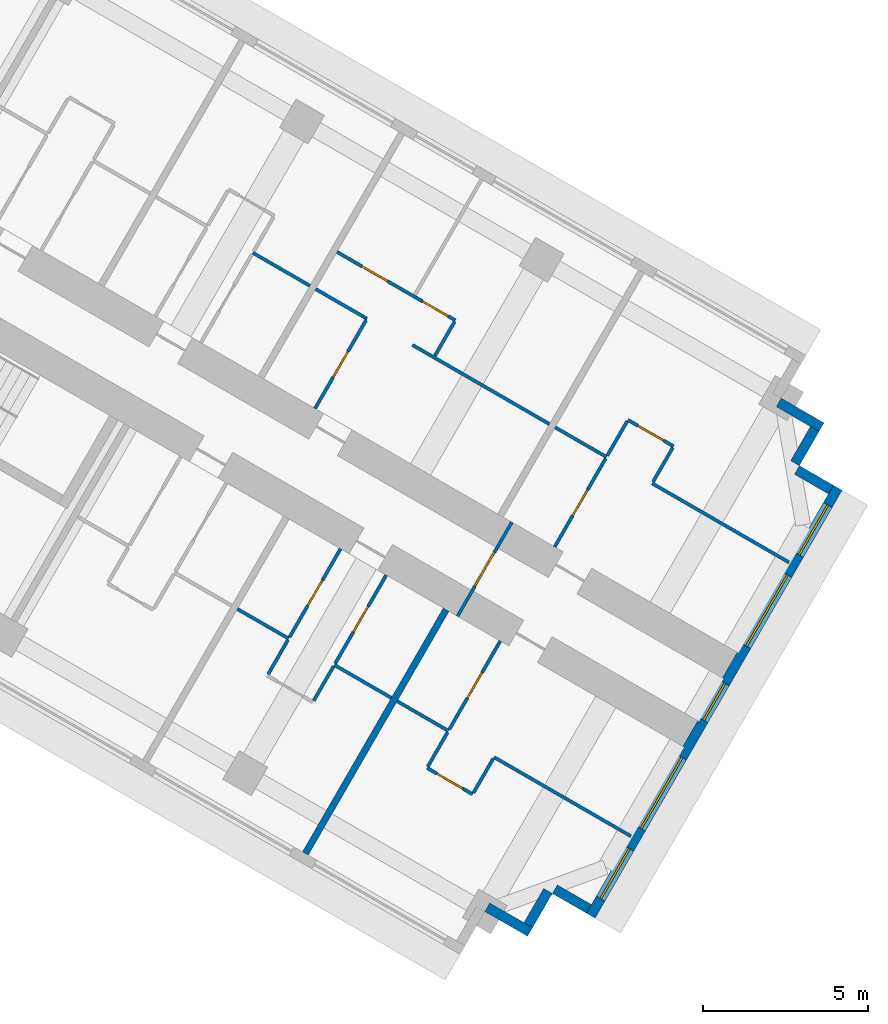
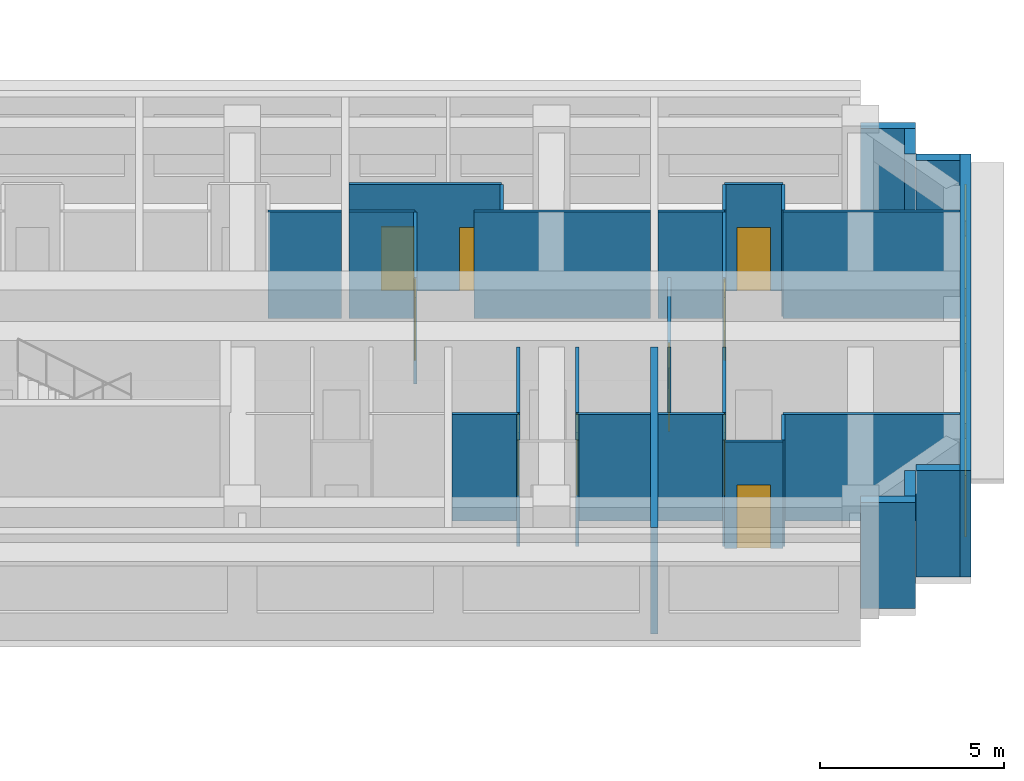
# One storey, part 11 of 15: 33 walls, 10 doors, 5 windows, 15 openings.
"""IFC4 building model written with IfcOpenShell, lengths in metres."""

from ifc_helpers import new_model, si_unit, direction, frame, frame_2d, origin, place, context, subcontext, project, spatial, rectangle, extrude, material, layer, layer_set, type_object, element, fill, save


model = new_model("IFC4")

# Units and contexts
model_context = context("Model", 3, precision=1e-05, world=origin(), true_north=direction((0.0, 1.0)))
body_context = subcontext(model_context, "Body", "Model", "MODEL_VIEW")
ifc_project = project(units=[si_unit("LENGTHUNIT", "METRE"), si_unit("AREAUNIT", "SQUARE_METRE"), si_unit("VOLUMEUNIT", "CUBIC_METRE"), si_unit("PLANEANGLEUNIT", "RADIAN"), si_unit("MASSUNIT", "GRAM", prefix="KILO")], contexts=[model_context])

# Site, building, storey
site_placement = place(None, origin())
site = spatial("IfcSite", under=ifc_project, at=site_placement, CompositionType="ELEMENT")
building_placement = place(site_placement, origin())
building = spatial("IfcBuilding", under=site, at=building_placement, Name="Impinga Residences", CompositionType="ELEMENT")
storey_placement = place(building_placement, frame((0.0, 0.0, 132.25)))
storey = spatial("IfcBuildingStorey", under=building, at=storey_placement, Name="L32", CompositionType="ELEMENT", Elevation=132.25)

# Wall, opening, door
ifc_material_1 = material(Name="Concrete blockwork", Category="masonry")
ifc_layer_1 = layer(ifc_material_1, 0.10009765625)
ifc_layer_set_1 = layer_set([ifc_layer_1], Name="CP1 core room partition, blockwork 100")
wall_type_1 = type_object("IfcWallType", Name="CP1 core room partition, blockwork 100", PredefinedType="PARTITIONING", material=ifc_layer_set_1)
wall_1_placement = place(storey_placement, frame((35.320068359375, -18.48681640625, 0.0), z_axis=(0.0, 0.0, 1.0), x_axis=(-0.499974350878, -0.866040211805, 0.0)))
wall_1 = element("IfcWall", 1, at=wall_1_placement, inside=storey, type_object=wall_type_1, Name="Core room partition, blockwork L32:E:PLB", PredefinedType="PARTITIONING", context=body_context, shape_type="SweptSolid", body=[
    extrude(rectangle(XDim=3.300048828125, YDim=0.10009765625, at=frame_2d((1.64990234375, 0.0))), origin(), (0.0, 0.0, 1.0), 3.530029296875),
])
opening_1_placement = place(wall_1_placement, frame((1.050048828125, 0.0, 0.0)))
opening_1 = element("IfcOpeningElement", 2, at=opening_1_placement, cuts=wall_1, Name="Opening D3", PredefinedType="OPENING", context=body_context, shape_type="SweptSolid", body=[
    extrude(rectangle(XDim=1.199951171875, YDim=2.10009765625, at=frame_2d((0.60009765625, 1.050048828125))), frame((0.0, 0.06005859375, 0.0), z_axis=(0.0, -1.0, 0.0), x_axis=(1.0, 0.0, 0.0)), (0.0, 0.0, 1.0), 0.1201171875),
])
ifc_material_2 = material(Name="Timber door set", Category="wood")
door_type_1 = type_object("IfcDoorType", Name="D3 room door, leaf and a half 1200x2100", OperationType="DOUBLE_SWING_LEFT", PredefinedType="DOOR", material=ifc_material_2)
door_1_placement = place(opening_1_placement, origin())
door_1 = element("IfcDoor", 3, at=door_1_placement, inside=storey, type_object=door_type_1, Name="Private lobby door E", OperationType="DOUBLE_SWING_LEFT", OverallHeight=2.10009765625, OverallWidth=1.199951171875, PredefinedType="DOOR", context=body_context, shape_type="SweptSolid", body=[
    extrude(rectangle(XDim=1.199951171875, YDim=2.10009765625, at=frame_2d((0.60009765625, 1.050048828125))), frame((0.0, 0.02490234375, 0.0), z_axis=(0.0, -1.0, 0.0), x_axis=(1.0, 0.0, 0.0)), (0.0, 0.0, 1.0), 0.050048828125),
])
fill(opening_1, door_1)

# Walls
ifc_material_3 = material(Name="Terracotta rainscreen on blockwork", Category="masonry")
ifc_layer_2 = layer(ifc_material_3, 0.300048828125)
ifc_layer_set_2 = layer_set([ifc_layer_2], Name="EW1 external wall, terracotta rainscreen on blockwork 300")
wall_type_2 = type_object("IfcWallType", Name="EW1 external wall, terracotta rainscreen on blockwork 300", PredefinedType="SOLIDWALL", material=ifc_layer_set_2)
wall_2_placement = place(storey_placement, frame((43.42333984375, -14.8515625, 0.0), z_axis=(0.0, 0.0, 1.0), x_axis=(0.866031096941, -0.499990139034, 0.0)))
element("IfcWall", 4, at=wall_2_placement, inside=storey, type_object=wall_type_2, Name="External wall EW1 L32", PredefinedType="SOLIDWALL", context=body_context, shape_type="SweptSolid", body=[
    extrude(rectangle(XDim=1.5, YDim=0.300048828125, at=frame_2d((0.75, 0.0))), origin(), (0.0, 0.0, 1.0), 3.530029296875),
])
wall_3_placement = place(storey_placement, frame((44.517578125, -15.65625, 0.0), z_axis=(0.0, 0.0, 1.0), x_axis=(-0.500033551112, -0.866006032174, 0.0)))
element("IfcWall", 5, at=wall_3_placement, inside=storey, type_object=wall_type_2, Name="External wall EW1 L32", PredefinedType="SOLIDWALL", context=body_context, shape_type="SweptSolid", body=[
    extrude(rectangle(XDim=1.2001953125, YDim=0.300048828125, at=frame_2d((0.60009765625, 0.0))), origin(), (0.0, 0.0, 1.0), 3.530029296875),
])
wall_4_placement = place(storey_placement, frame((43.976806640625, -16.903076171875, 0.0), z_axis=(0.0, 0.0, 1.0), x_axis=(0.866059708757, -0.499940577336, 0.0)))
element("IfcWall", 6, at=wall_4_placement, inside=storey, type_object=wall_type_2, Name="External wall EW1 L32", PredefinedType="SOLIDWALL", context=body_context, shape_type="SweptSolid", body=[
    extrude(rectangle(XDim=1.195068359375, YDim=0.300048828125, at=frame_2d((0.59765625, 0.0))), origin(), (0.0, 0.0, 1.0), 3.530029296875),
])

# Wall, openings, windows
wall_5_placement = place(storey_placement, frame((45.216552734375, -17.445556640625, 0.0), z_axis=(0.0, 0.0, 1.0), x_axis=(-0.499997186618, -0.866027028085, 0.0)))
wall_5 = element("IfcWall", 7, at=wall_5_placement, inside=storey, type_object=wall_type_2, Name="External wall EW1 L32", PredefinedType="SOLIDWALL", context=body_context, shape_type="SweptSolid", body=[
    extrude(rectangle(XDim=15.0, YDim=0.300048828125, at=frame_2d((7.5, 0.0))), origin(), (0.0, 0.0, 1.0), 3.530029296875),
])
opening_2_placement = place(wall_5_placement, frame((0.60009765625, 0.0, 0.89990234375)))
opening_2 = element("IfcOpeningElement", 8, at=opening_2_placement, cuts=wall_5, Name="Opening W1", PredefinedType="OPENING", context=body_context, shape_type="SweptSolid", body=[
    extrude(rectangle(XDim=1.75, YDim=2.050048828125, at=frame_2d((0.875, 1.02490234375))), frame((0.0, 0.159912109375, 0.0), z_axis=(0.0, -1.0, 0.0), x_axis=(1.0, 0.0, 0.0)), (0.0, 0.0, 1.0), 0.320068359375),
])
opening_3_placement = place(wall_5_placement, frame((3.050048828125, 0.0, 0.89990234375)))
opening_3 = element("IfcOpeningElement", 9, at=opening_3_placement, cuts=wall_5, Name="Opening W2", PredefinedType="OPENING", context=body_context, shape_type="SweptSolid", body=[
    extrude(rectangle(XDim=2.5, YDim=2.050048828125, at=frame_2d((1.25, 1.02490234375))), frame((0.0, 0.159912109375, 0.0), z_axis=(0.0, -1.0, 0.0), x_axis=(1.0, 0.0, 0.0)), (0.0, 0.0, 1.0), 0.320068359375),
])
opening_4_placement = place(wall_5_placement, frame((6.85009765625, 0.0, 0.89990234375)))
opening_4 = element("IfcOpeningElement", 10, at=opening_4_placement, cuts=wall_5, Name="Opening W17", PredefinedType="OPENING", context=body_context, shape_type="SweptSolid", body=[
    extrude(rectangle(XDim=1.300048828125, YDim=2.050048828125, at=frame_2d((0.64990234375, 1.02490234375))), frame((0.0, 0.159912109375, 0.0), z_axis=(0.0, -1.0, 0.0), x_axis=(1.0, 0.0, 0.0)), (0.0, 0.0, 1.0), 0.320068359375),
])
opening_5_placement = place(wall_5_placement, frame((9.449951171875, 0.0, 0.89990234375)))
opening_5 = element("IfcOpeningElement", 11, at=opening_5_placement, cuts=wall_5, Name="Opening W2", PredefinedType="OPENING", context=body_context, shape_type="SweptSolid", body=[
    extrude(rectangle(XDim=2.5, YDim=2.050048828125, at=frame_2d((1.25, 1.02490234375))), frame((0.0, 0.159912109375, 0.0), z_axis=(0.0, -1.0, 0.0), x_axis=(1.0, 0.0, 0.0)), (0.0, 0.0, 1.0), 0.320068359375),
])
opening_6_placement = place(wall_5_placement, frame((12.64990234375, 0.0, 0.89990234375)))
opening_6 = element("IfcOpeningElement", 12, at=opening_6_placement, cuts=wall_5, Name="Opening W1", PredefinedType="OPENING", context=body_context, shape_type="SweptSolid", body=[
    extrude(rectangle(XDim=1.75, YDim=2.050048828125, at=frame_2d((0.875, 1.02490234375))), frame((0.0, 0.159912109375, 0.0), z_axis=(0.0, -1.0, 0.0), x_axis=(1.0, 0.0, 0.0)), (0.0, 0.0, 1.0), 0.320068359375),
])
ifc_material_4 = material(Name="Aluminium window, clear double glazing", Category="aluminium")
window_type_1 = type_object("IfcWindowType", Name="W1 ribbon window 1750x2050", PartitioningType="SINGLE_PANEL", PredefinedType="WINDOW", material=ifc_material_4)
window_1_placement = place(opening_2_placement, origin())
window_1 = element("IfcWindow", 13, at=window_1_placement, inside=storey, type_object=window_type_1, Name="Window L32", OverallHeight=2.050048828125, OverallWidth=1.75, PartitioningType="SINGLE_PANEL", PredefinedType="WINDOW", context=body_context, shape_type="SweptSolid", body=[
    extrude(rectangle(XDim=1.75, YDim=2.050048828125, at=frame_2d((0.875, 1.02490234375))), frame((0.0, 0.030029296875, 0.0), z_axis=(0.0, -1.0, 0.0), x_axis=(1.0, 0.0, 0.0)), (0.0, 0.0, 1.0), 0.06005859375),
])
fill(opening_2, window_1)
window_2_placement = place(opening_6_placement, origin())
window_2 = element("IfcWindow", 14, at=window_2_placement, inside=storey, type_object=window_type_1, Name="Window L32", OverallHeight=2.050048828125, OverallWidth=1.75, PartitioningType="SINGLE_PANEL", PredefinedType="WINDOW", context=body_context, shape_type="SweptSolid", body=[
    extrude(rectangle(XDim=1.75, YDim=2.050048828125, at=frame_2d((0.875, 1.02490234375))), frame((0.0, 0.030029296875, 0.0), z_axis=(0.0, -1.0, 0.0), x_axis=(1.0, 0.0, 0.0)), (0.0, 0.0, 1.0), 0.06005859375),
])
fill(opening_6, window_2)
window_type_2 = type_object("IfcWindowType", Name="W17 ribbon window 1300x2050", PartitioningType="SINGLE_PANEL", PredefinedType="WINDOW", material=ifc_material_4)
window_3_placement = place(opening_4_placement, origin())
window_3 = element("IfcWindow", 15, at=window_3_placement, inside=storey, type_object=window_type_2, Name="Window L32", OverallHeight=2.050048828125, OverallWidth=1.300048828125, PartitioningType="SINGLE_PANEL", PredefinedType="WINDOW", context=body_context, shape_type="SweptSolid", body=[
    extrude(rectangle(XDim=1.300048828125, YDim=2.050048828125, at=frame_2d((0.64990234375, 1.02490234375))), frame((0.0, 0.030029296875, 0.0), z_axis=(0.0, -1.0, 0.0), x_axis=(1.0, 0.0, 0.0)), (0.0, 0.0, 1.0), 0.06005859375),
])
fill(opening_4, window_3)
window_type_3 = type_object("IfcWindowType", Name="W2 ribbon window 2500x2050", PartitioningType="SINGLE_PANEL", PredefinedType="WINDOW", material=ifc_material_4)
window_4_placement = place(opening_3_placement, origin())
window_4 = element("IfcWindow", 16, at=window_4_placement, inside=storey, type_object=window_type_3, Name="Window L32", OverallHeight=2.050048828125, OverallWidth=2.5, PartitioningType="SINGLE_PANEL", PredefinedType="WINDOW", context=body_context, shape_type="SweptSolid", body=[
    extrude(rectangle(XDim=2.5, YDim=2.050048828125, at=frame_2d((1.25, 1.02490234375))), frame((0.0, 0.030029296875, 0.0), z_axis=(0.0, -1.0, 0.0), x_axis=(1.0, 0.0, 0.0)), (0.0, 0.0, 1.0), 0.06005859375),
])
fill(opening_3, window_4)
window_5_placement = place(opening_5_placement, origin())
window_5 = element("IfcWindow", 17, at=window_5_placement, inside=storey, type_object=window_type_3, Name="Window L32", OverallHeight=2.050048828125, OverallWidth=2.5, PartitioningType="SINGLE_PANEL", PredefinedType="WINDOW", context=body_context, shape_type="SweptSolid", body=[
    extrude(rectangle(XDim=2.5, YDim=2.050048828125, at=frame_2d((1.25, 1.02490234375))), frame((0.0, 0.030029296875, 0.0), z_axis=(0.0, -1.0, 0.0), x_axis=(1.0, 0.0, 0.0)), (0.0, 0.0, 1.0), 0.06005859375),
])
fill(opening_5, window_5)

# Walls
wall_6_placement = place(storey_placement, frame((37.66162109375, -30.23095703125, 0.0), z_axis=(0.0, 0.0, 1.0), x_axis=(-0.866059708757, 0.499940577336, 0.0)))
element("IfcWall", 18, at=wall_6_placement, inside=storey, type_object=wall_type_2, Name="External wall EW1 L32", PredefinedType="SOLIDWALL", context=body_context, shape_type="SweptSolid", body=[
    extrude(rectangle(XDim=1.195068359375, YDim=0.300048828125, at=frame_2d((0.59765625, 0.0))), origin(), (0.0, 0.0, 1.0), 3.530029296875),
])
wall_7_placement = place(storey_placement, frame((36.41748046875, -29.68603515625, 0.0), z_axis=(0.0, 0.0, 1.0), x_axis=(-0.499969057507, -0.866043267704, 0.0)))
element("IfcWall", 19, at=wall_7_placement, inside=storey, type_object=wall_type_2, Name="External wall EW1 L32", PredefinedType="SOLIDWALL", context=body_context, shape_type="SweptSolid", body=[
    extrude(rectangle(XDim=1.19970703125, YDim=0.300048828125, at=frame_2d((0.599853515625, 0.0))), origin(), (0.0, 0.0, 1.0), 3.530029296875),
])
wall_8_placement = place(storey_placement, frame((35.87255859375, -30.93017578125, 0.0), z_axis=(0.0, 0.0, 1.0), x_axis=(-0.866031096941, 0.499990139034, 0.0)))
element("IfcWall", 20, at=wall_8_placement, inside=storey, type_object=wall_type_2, Name="External wall EW1 L32", PredefinedType="SOLIDWALL", context=body_context, shape_type="SweptSolid", body=[
    extrude(rectangle(XDim=1.5, YDim=0.300048828125, at=frame_2d((0.75, 0.0))), origin(), (0.0, 0.0, 1.0), 3.530029296875),
])
ifc_material_5 = material(Name="Gypsum board on steel studs", Category="steel")
ifc_layer_3 = layer(ifc_material_5, 0.10009765625)
ifc_layer_set_3 = layer_set([ifc_layer_3], Name="Gypsum board on steel studs")
wall_type_3 = type_object("IfcWallType", Name="IP1 partition 100", PredefinedType="PARTITIONING", material=ifc_layer_set_3)
wall_9_placement = place(storey_placement, frame((27.45556640625, -10.308837890625, 0.0), z_axis=(0.0, 0.0, 1.0), x_axis=(0.866010750942, -0.50002537861, 0.0)))
element("IfcWall", 21, at=wall_9_placement, inside=storey, type_object=wall_type_3, Name="Partition L32-EA3:DIV1", PredefinedType="PARTITIONING", context=body_context, shape_type="SweptSolid", body=[
    extrude(rectangle(XDim=2.0, YDim=0.10009765625, at=frame_2d((1.0, 0.0))), origin(), (0.0, 0.0, 1.0), 3.530029296875),
])
wall_10_placement = place(storey_placement, frame((29.360595703125, -11.408935546875, 0.0), z_axis=(0.0, 0.0, 1.0), x_axis=(0.866047807691, -0.499961193289, 0.0)))
element("IfcWall", 22, at=wall_10_placement, inside=storey, type_object=wall_type_3, Name="Partition L32-EA4:DIV0", PredefinedType="PARTITIONING", context=body_context, shape_type="SweptSolid", body=[
    extrude(rectangle(XDim=1.800048828125, YDim=0.10009765625, at=frame_2d((0.89990234375, 0.0))), origin(), (0.0, 0.0, 1.0), 3.530029296875),
])
wall_11_placement = place(storey_placement, frame((32.30517578125, -13.10888671875, 0.0), z_axis=(0.0, 0.0, 1.0), x_axis=(0.866037363387, -0.499979284789, 0.0)))
element("IfcWall", 23, at=wall_11_placement, inside=storey, type_object=wall_type_3, Name="Partition L32-EA4:DIV1", PredefinedType="PARTITIONING", context=body_context, shape_type="SweptSolid", body=[
    extrude(rectangle(XDim=4.800048828125, YDim=0.10009765625, at=frame_2d((2.39990234375, 0.0))), origin(), (0.0, 0.0, 1.0), 3.530029296875),
])

# Wall, openings, doors
wall_12_placement = place(storey_placement, frame((30.0107421875, -10.282958984375, 0.0), z_axis=(0.0, 0.0, 1.0), x_axis=(0.86602981871, -0.499992353047, 0.0)))
wall_12 = element("IfcWall", 24, at=wall_12_placement, inside=storey, type_object=wall_type_3, Name="Partition L32-EA4:STRIP", PredefinedType="PARTITIONING", context=body_context, shape_type="SweptSolid", body=[
    extrude(rectangle(XDim=4.14990234375, YDim=0.10009765625, at=frame_2d((2.074951171875, 0.0))), origin(), (0.0, 0.0, 1.0), 3.530029296875),
])
opening_7_placement = place(wall_12_placement, frame((0.875, 0.0, 0.0)))
opening_7 = element("IfcOpeningElement", 25, at=opening_7_placement, cuts=wall_12, Name="Opening D2", PredefinedType="OPENING", context=body_context, shape_type="SweptSolid", body=[
    extrude(rectangle(XDim=0.89990234375, YDim=2.10009765625, at=frame_2d((0.449951171875, 1.050048828125))), frame((0.0, 0.06005859375, 0.0), z_axis=(0.0, -1.0, 0.0), x_axis=(1.0, 0.0, 0.0)), (0.0, 0.0, 1.0), 0.1201171875),
])
opening_8_placement = place(wall_12_placement, frame((3.0, 0.0, 0.0)))
opening_8 = element("IfcOpeningElement", 26, at=opening_8_placement, cuts=wall_12, Name="Opening D2", PredefinedType="OPENING", context=body_context, shape_type="SweptSolid", body=[
    extrude(rectangle(XDim=0.89990234375, YDim=2.10009765625, at=frame_2d((0.449951171875, 1.050048828125))), frame((0.0, 0.06005859375, 0.0), z_axis=(0.0, -1.0, 0.0), x_axis=(1.0, 0.0, 0.0)), (0.0, 0.0, 1.0), 0.1201171875),
])
door_type_2 = type_object("IfcDoorType", Name="D2 internal door 900x2100", OperationType="SINGLE_SWING_LEFT", PredefinedType="DOOR", material=ifc_material_2)
door_2_placement = place(opening_7_placement, origin())
door_2 = element("IfcDoor", 27, at=door_2_placement, inside=storey, type_object=door_type_2, Name="Apartment L32-EA4 room door", OperationType="SINGLE_SWING_LEFT", OverallHeight=2.10009765625, OverallWidth=0.89990234375, PredefinedType="DOOR", context=body_context, shape_type="SweptSolid", body=[
    extrude(rectangle(XDim=0.89990234375, YDim=2.10009765625, at=frame_2d((0.449951171875, 1.050048828125))), frame((0.0, 0.02490234375, 0.0), z_axis=(0.0, -1.0, 0.0), x_axis=(1.0, 0.0, 0.0)), (0.0, 0.0, 1.0), 0.050048828125),
])
fill(opening_7, door_2)
door_3_placement = place(opening_8_placement, origin())
door_3 = element("IfcDoor", 28, at=door_3_placement, inside=storey, type_object=door_type_2, Name="Apartment L32-EA4 room door", OperationType="SINGLE_SWING_RIGHT", OverallHeight=2.10009765625, OverallWidth=0.89990234375, PredefinedType="DOOR", context=body_context, shape_type="SweptSolid", body=[
    extrude(rectangle(XDim=0.89990234375, YDim=2.10009765625, at=frame_2d((0.449951171875, 1.050048828125))), frame((0.0, 0.02490234375, 0.0), z_axis=(0.0, -1.0, 0.0), x_axis=(1.0, 0.0, 0.0)), (0.0, 0.0, 1.0), 0.050048828125),
])
fill(opening_8, door_3)

# Wall
wall_13_placement = place(storey_placement, frame((32.979736328125, -13.4404296875, 0.0), z_axis=(0.0, 0.0, 1.0), x_axis=(0.499969057507, 0.866043267704, 0.0)))
element("IfcWall", 29, at=wall_13_placement, inside=storey, type_object=wall_type_3, Name="Partition L32-EA4:SE1", PredefinedType="PARTITIONING", context=body_context, shape_type="SweptSolid", body=[
    extrude(rectangle(XDim=1.19970703125, YDim=0.10009765625, at=frame_2d((0.599853515625, 0.0))), origin(), (0.0, 0.0, 1.0), 3.530029296875),
])

# Wall, opening, door
wall_14_placement = place(storey_placement, frame((29.344482421875, -15.036865234375, 0.0), z_axis=(0.0, 0.0, 1.0), x_axis=(0.49999285859, 0.86602952684, 0.0)))
wall_14 = element("IfcWall", 30, at=wall_14_placement, inside=storey, type_object=wall_type_3, Name="Partition L32-EA4:IB1", PredefinedType="PARTITIONING", context=body_context, shape_type="SweptSolid", body=[
    extrude(rectangle(XDim=3.10009765625, YDim=0.10009765625, at=frame_2d((1.550048828125, 0.0))), origin(), (0.0, 0.0, 1.0), 3.530029296875),
])
opening_9_placement = place(wall_14_placement, frame((1.10009765625, 0.0, 0.0)))
opening_9 = element("IfcOpeningElement", 31, at=opening_9_placement, cuts=wall_14, Name="Opening D2", PredefinedType="OPENING", context=body_context, shape_type="SweptSolid", body=[
    extrude(rectangle(XDim=0.89990234375, YDim=2.10009765625, at=frame_2d((0.449951171875, 1.050048828125))), frame((0.0, 0.06005859375, 0.0), z_axis=(0.0, -1.0, 0.0), x_axis=(1.0, 0.0, 0.0)), (0.0, 0.0, 1.0), 0.1201171875),
])
door_4_placement = place(opening_9_placement, origin())
door_4 = element("IfcDoor", 32, at=door_4_placement, inside=storey, type_object=door_type_2, Name="Apartment L32-EA4 bathroom door", OperationType="SINGLE_SWING_LEFT", OverallHeight=2.10009765625, OverallWidth=0.89990234375, PredefinedType="DOOR", context=body_context, shape_type="SweptSolid", body=[
    extrude(rectangle(XDim=0.89990234375, YDim=2.10009765625, at=frame_2d((0.449951171875, 1.050048828125))), frame((0.0, 0.02490234375, 0.0), z_axis=(0.0, -1.0, 0.0), x_axis=(1.0, 0.0, 0.0)), (0.0, 0.0, 1.0), 0.050048828125),
])
fill(opening_9, door_4)

# Walls
wall_15_placement = place(storey_placement, frame((36.63525390625, -15.60888671875, 0.0), z_axis=(0.0, 0.0, 1.0), x_axis=(0.866047807691, -0.499961193289, 0.0)))
element("IfcWall", 33, at=wall_15_placement, inside=storey, type_object=wall_type_3, Name="Partition L32-EA5:DIV0", PredefinedType="PARTITIONING", context=body_context, shape_type="SweptSolid", body=[
    extrude(rectangle(XDim=1.800048828125, YDim=0.10009765625, at=frame_2d((0.89990234375, 0.0))), origin(), (0.0, 0.0, 1.0), 3.530029296875),
])
wall_16_placement = place(storey_placement, frame((39.579833984375, -17.308837890625, 0.0), z_axis=(0.0, 0.0, 1.0), x_axis=(0.866037363387, -0.499979284789, 0.0)))
element("IfcWall", 34, at=wall_16_placement, inside=storey, type_object=wall_type_3, Name="Partition L32-EA5:DIV1", PredefinedType="PARTITIONING", context=body_context, shape_type="SweptSolid", body=[
    extrude(rectangle(XDim=4.800048828125, YDim=0.10009765625, at=frame_2d((2.39990234375, 0.0))), origin(), (0.0, 0.0, 1.0), 3.530029296875),
])

# Wall, opening, door
wall_17_placement = place(storey_placement, frame((38.84423828125, -15.383056640625, 0.0), z_axis=(0.0, 0.0, 1.0), x_axis=(0.865989903783, -0.500061482766, 0.0)))
wall_17 = element("IfcWall", 35, at=wall_17_placement, inside=storey, type_object=wall_type_3, Name="Partition L32-EA5:STRIP", PredefinedType="PARTITIONING", context=body_context, shape_type="SweptSolid", body=[
    extrude(rectangle(XDim=1.599853515625, YDim=0.10009765625, at=frame_2d((0.7998046875, 0.0))), origin(), (0.0, 0.0, 1.0), 3.530029296875),
])
opening_10_placement = place(wall_17_placement, frame((0.35009765625, 0.0, 0.0)))
opening_10 = element("IfcOpeningElement", 36, at=opening_10_placement, cuts=wall_17, Name="Opening D2", PredefinedType="OPENING", context=body_context, shape_type="SweptSolid", body=[
    extrude(rectangle(XDim=0.89990234375, YDim=2.10009765625, at=frame_2d((0.449951171875, 1.050048828125))), frame((0.0, 0.06005859375, 0.0), z_axis=(0.0, -1.0, 0.0), x_axis=(1.0, 0.0, 0.0)), (0.0, 0.0, 1.0), 0.1201171875),
])
door_5_placement = place(opening_10_placement, origin())
door_5 = element("IfcDoor", 37, at=door_5_placement, inside=storey, type_object=door_type_2, Name="Apartment L32-EA5 room door", OperationType="SINGLE_SWING_LEFT", OverallHeight=2.10009765625, OverallWidth=0.89990234375, PredefinedType="DOOR", context=body_context, shape_type="SweptSolid", body=[
    extrude(rectangle(XDim=0.89990234375, YDim=2.10009765625, at=frame_2d((0.449951171875, 1.050048828125))), frame((0.0, 0.02490234375, 0.0), z_axis=(0.0, -1.0, 0.0), x_axis=(1.0, 0.0, 0.0)), (0.0, 0.0, 1.0), 0.050048828125),
])
fill(opening_10, door_5)

# Walls
wall_18_placement = place(storey_placement, frame((38.21923828125, -16.465576171875, 0.0), z_axis=(0.0, 0.0, 1.0), x_axis=(0.499880961361, 0.866094119867, 0.0)))
element("IfcWall", 38, at=wall_18_placement, inside=storey, type_object=wall_type_3, Name="Partition L32-EA5:SE0", PredefinedType="PARTITIONING", context=body_context, shape_type="SweptSolid", body=[
    extrude(rectangle(XDim=1.199951171875, YDim=0.10009765625, at=frame_2d((0.60009765625, 0.0))), origin(), (0.0, 0.0, 1.0), 3.530029296875),
])
wall_19_placement = place(storey_placement, frame((39.604736328125, -17.265625, 0.0), z_axis=(0.0, 0.0, 1.0), x_axis=(0.500033551112, 0.866006032174, 0.0)))
element("IfcWall", 39, at=wall_19_placement, inside=storey, type_object=wall_type_3, Name="Partition L32-EA5:SE1", PredefinedType="PARTITIONING", context=body_context, shape_type="SweptSolid", body=[
    extrude(rectangle(XDim=1.2001953125, YDim=0.10009765625, at=frame_2d((0.60009765625, 0.0))), origin(), (0.0, 0.0, 1.0), 3.530029296875),
])

# Wall, opening, door
wall_20_placement = place(storey_placement, frame((36.619140625, -19.23681640625, 0.0), z_axis=(0.0, 0.0, 1.0), x_axis=(0.500026960575, 0.86600983753, 0.0)))
wall_20 = element("IfcWall", 40, at=wall_20_placement, inside=storey, type_object=wall_type_3, Name="Partition L32-EA5:IB1", PredefinedType="PARTITIONING", context=body_context, shape_type="SweptSolid", body=[
    extrude(rectangle(XDim=3.099853515625, YDim=0.10009765625, at=frame_2d((1.5498046875, 0.0))), origin(), (0.0, 0.0, 1.0), 3.530029296875),
])
opening_11_placement = place(wall_20_placement, frame((1.10009765625, 0.0, 0.0)))
opening_11 = element("IfcOpeningElement", 41, at=opening_11_placement, cuts=wall_20, Name="Opening D2", PredefinedType="OPENING", context=body_context, shape_type="SweptSolid", body=[
    extrude(rectangle(XDim=0.89990234375, YDim=2.10009765625, at=frame_2d((0.449951171875, 1.050048828125))), frame((0.0, 0.06005859375, 0.0), z_axis=(0.0, -1.0, 0.0), x_axis=(1.0, 0.0, 0.0)), (0.0, 0.0, 1.0), 0.1201171875),
])
door_6_placement = place(opening_11_placement, origin())
door_6 = element("IfcDoor", 42, at=door_6_placement, inside=storey, type_object=door_type_2, Name="Apartment L32-EA5 bathroom door", OperationType="SINGLE_SWING_LEFT", OverallHeight=2.10009765625, OverallWidth=0.89990234375, PredefinedType="DOOR", context=body_context, shape_type="SweptSolid", body=[
    extrude(rectangle(XDim=0.89990234375, YDim=2.10009765625, at=frame_2d((0.449951171875, 1.050048828125))), frame((0.0, 0.02490234375, 0.0), z_axis=(0.0, -1.0, 0.0), x_axis=(1.0, 0.0, 0.0)), (0.0, 0.0, 1.0), 0.050048828125),
])
fill(opening_11, door_6)

# Walls
wall_21_placement = place(storey_placement, frame((26.985595703125, -21.122802734375, 0.0), z_axis=(0.0, 0.0, 1.0), x_axis=(0.866047807691, -0.499961193289, 0.0)))
element("IfcWall", 43, at=wall_21_placement, inside=storey, type_object=wall_type_3, Name="Partition L32-EF3:DIV0", PredefinedType="PARTITIONING", context=body_context, shape_type="SweptSolid", body=[
    extrude(rectangle(XDim=1.800048828125, YDim=0.10009765625, at=frame_2d((0.89990234375, 0.0))), origin(), (0.0, 0.0, 1.0), 3.530029296875),
])
wall_22_placement = place(storey_placement, frame((29.93017578125, -22.82275390625, 0.0), z_axis=(0.0, 0.0, 1.0), x_axis=(0.866010750942, -0.50002537861, 0.0)))
element("IfcWall", 44, at=wall_22_placement, inside=storey, type_object=wall_type_3, Name="Partition L32-EF3:DIV1", PredefinedType="PARTITIONING", context=body_context, shape_type="SweptSolid", body=[
    extrude(rectangle(XDim=2.0, YDim=0.10009765625, at=frame_2d((1.0, 0.0))), origin(), (0.0, 0.0, 1.0), 3.530029296875),
])
wall_23_placement = place(storey_placement, frame((28.51953125, -22.06591796875, 0.0), z_axis=(0.0, 0.0, 1.0), x_axis=(-0.500033551112, -0.866006032174, 0.0)))
element("IfcWall", 45, at=wall_23_placement, inside=storey, type_object=wall_type_3, Name="Partition L32-EF3:SE0", PredefinedType="PARTITIONING", context=body_context, shape_type="SweptSolid", body=[
    extrude(rectangle(XDim=1.2001953125, YDim=0.10009765625, at=frame_2d((0.60009765625, 0.0))), origin(), (0.0, 0.0, 1.0), 3.530029296875),
])
wall_24_placement = place(storey_placement, frame((29.905029296875, -22.865966796875, 0.0), z_axis=(0.0, 0.0, 1.0), x_axis=(-0.499880961361, -0.866094119867, 0.0)))
element("IfcWall", 46, at=wall_24_placement, inside=storey, type_object=wall_type_3, Name="Partition L32-EF3:SE1", PredefinedType="PARTITIONING", context=body_context, shape_type="SweptSolid", body=[
    extrude(rectangle(XDim=1.199951171875, YDim=0.10009765625, at=frame_2d((0.60009765625, 0.0))), origin(), (0.0, 0.0, 1.0), 3.530029296875),
])

# Wall, opening, door
wall_25_placement = place(storey_placement, frame((30.119384765625, -19.294677734375, 0.0), z_axis=(0.0, 0.0, 1.0), x_axis=(-0.49999285859, -0.86602952684, 0.0)))
wall_25 = element("IfcWall", 47, at=wall_25_placement, inside=storey, type_object=wall_type_3, Name="Partition L32-EF3:IB1", PredefinedType="PARTITIONING", context=body_context, shape_type="SweptSolid", body=[
    extrude(rectangle(XDim=3.10009765625, YDim=0.10009765625, at=frame_2d((1.550048828125, 0.0))), origin(), (0.0, 0.0, 1.0), 3.530029296875),
])
opening_12_placement = place(wall_25_placement, frame((1.10009765625, 0.0, 0.0)))
opening_12 = element("IfcOpeningElement", 48, at=opening_12_placement, cuts=wall_25, Name="Opening D2", PredefinedType="OPENING", context=body_context, shape_type="SweptSolid", body=[
    extrude(rectangle(XDim=0.89990234375, YDim=2.10009765625, at=frame_2d((0.449951171875, 1.050048828125))), frame((0.0, 0.06005859375, 0.0), z_axis=(0.0, -1.0, 0.0), x_axis=(1.0, 0.0, 0.0)), (0.0, 0.0, 1.0), 0.1201171875),
])
door_7_placement = place(opening_12_placement, origin())
door_7 = element("IfcDoor", 49, at=door_7_placement, inside=storey, type_object=door_type_2, Name="Apartment L32-EF3 bathroom door", OperationType="SINGLE_SWING_LEFT", OverallHeight=2.10009765625, OverallWidth=0.89990234375, PredefinedType="DOOR", context=body_context, shape_type="SweptSolid", body=[
    extrude(rectangle(XDim=0.89990234375, YDim=2.10009765625, at=frame_2d((0.449951171875, 1.050048828125))), frame((0.0, 0.02490234375, 0.0), z_axis=(0.0, -1.0, 0.0), x_axis=(1.0, 0.0, 0.0)), (0.0, 0.0, 1.0), 0.050048828125),
])
fill(opening_12, door_7)

wall_26_placement = place(storey_placement, frame((31.505126953125, -20.0947265625, 0.0), z_axis=(0.0, 0.0, 1.0), x_axis=(-0.500026960575, -0.86600983753, 0.0)))
wall_26 = element("IfcWall", 50, at=wall_26_placement, inside=storey, type_object=wall_type_3, Name="Partition L32-EF3:IB2", PredefinedType="PARTITIONING", context=body_context, shape_type="SweptSolid", body=[
    extrude(rectangle(XDim=3.099853515625, YDim=0.10009765625, at=frame_2d((1.5498046875, 0.0))), origin(), (0.0, 0.0, 1.0), 3.530029296875),
])
opening_13_placement = place(wall_26_placement, frame((1.10009765625, 0.0, 0.0)))
opening_13 = element("IfcOpeningElement", 51, at=opening_13_placement, cuts=wall_26, Name="Opening D2", PredefinedType="OPENING", context=body_context, shape_type="SweptSolid", body=[
    extrude(rectangle(XDim=0.89990234375, YDim=2.10009765625, at=frame_2d((0.449951171875, 1.050048828125))), frame((0.0, 0.06005859375, 0.0), z_axis=(0.0, -1.0, 0.0), x_axis=(1.0, 0.0, 0.0)), (0.0, 0.0, 1.0), 0.1201171875),
])
door_8_placement = place(opening_13_placement, origin())
door_8 = element("IfcDoor", 52, at=door_8_placement, inside=storey, type_object=door_type_2, Name="Apartment L32-EF3 WC door", OperationType="SINGLE_SWING_LEFT", OverallHeight=2.10009765625, OverallWidth=0.89990234375, PredefinedType="DOOR", context=body_context, shape_type="SweptSolid", body=[
    extrude(rectangle(XDim=0.89990234375, YDim=2.10009765625, at=frame_2d((0.449951171875, 1.050048828125))), frame((0.0, 0.02490234375, 0.0), z_axis=(0.0, -1.0, 0.0), x_axis=(1.0, 0.0, 0.0)), (0.0, 0.0, 1.0), 0.050048828125),
])
fill(opening_13, door_8)

# Walls
wall_27_placement = place(storey_placement, frame((31.835205078125, -23.922607421875, 0.0), z_axis=(0.0, 0.0, 1.0), x_axis=(0.865989075817, -0.500062916607, 0.0)))
element("IfcWall", 53, at=wall_27_placement, inside=storey, type_object=wall_type_3, Name="Partition L32-EF4:DIV0", PredefinedType="PARTITIONING", context=body_context, shape_type="SweptSolid", body=[
    extrude(rectangle(XDim=1.800048828125, YDim=0.10009765625, at=frame_2d((0.89990234375, 0.0))), origin(), (0.0, 0.0, 1.0), 3.530029296875),
])
wall_28_placement = place(storey_placement, frame((34.77978515625, -25.622802734375, 0.0), z_axis=(0.0, 0.0, 1.0), x_axis=(0.866037363387, -0.499979284789, 0.0)))
element("IfcWall", 54, at=wall_28_placement, inside=storey, type_object=wall_type_3, Name="Partition L32-EF4:DIV1", PredefinedType="PARTITIONING", context=body_context, shape_type="SweptSolid", body=[
    extrude(rectangle(XDim=4.800048828125, YDim=0.10009765625, at=frame_2d((2.39990234375, 0.0))), origin(), (0.0, 0.0, 1.0), 3.530029296875),
])

# Wall, opening, door
wall_29_placement = place(storey_placement, frame((32.744140625, -25.948486328125, 0.0), z_axis=(0.0, 0.0, 1.0), x_axis=(0.866028054938, -0.499995408039, 0.0)))
wall_29 = element("IfcWall", 55, at=wall_29_placement, inside=storey, type_object=wall_type_3, Name="Partition L32-EF4:STRIP", PredefinedType="PARTITIONING", context=body_context, shape_type="SweptSolid", body=[
    extrude(rectangle(XDim=1.60009765625, YDim=0.10009765625, at=frame_2d((0.800048828125, 0.0))), origin(), (0.0, 0.0, 1.0), 3.530029296875),
])
opening_14_placement = place(wall_29_placement, frame((0.35009765625, 0.0, 0.0)))
opening_14 = element("IfcOpeningElement", 56, at=opening_14_placement, cuts=wall_29, Name="Opening D2", PredefinedType="OPENING", context=body_context, shape_type="SweptSolid", body=[
    extrude(rectangle(XDim=0.89990234375, YDim=2.10009765625, at=frame_2d((0.449951171875, 1.050048828125))), frame((0.0, 0.06005859375, 0.0), z_axis=(0.0, -1.0, 0.0), x_axis=(1.0, 0.0, 0.0)), (0.0, 0.0, 1.0), 0.1201171875),
])
door_9_placement = place(opening_14_placement, origin())
door_9 = element("IfcDoor", 57, at=door_9_placement, inside=storey, type_object=door_type_2, Name="Apartment L32-EF4 room door", OperationType="SINGLE_SWING_LEFT", OverallHeight=2.10009765625, OverallWidth=0.89990234375, PredefinedType="DOOR", context=body_context, shape_type="SweptSolid", body=[
    extrude(rectangle(XDim=0.89990234375, YDim=2.10009765625, at=frame_2d((0.449951171875, 1.050048828125))), frame((0.0, 0.02490234375, 0.0), z_axis=(0.0, -1.0, 0.0), x_axis=(1.0, 0.0, 0.0)), (0.0, 0.0, 1.0), 0.050048828125),
])
fill(opening_14, door_9)

# Walls
for number, where, z_axis, x_axis, name in (
    (58, (33.369140625, -24.865966796875, 0.0), (0.0, 0.0, 1.0), (-0.500033551112, -0.866006032174, 0.0), "Partition L32-EF4:SE0"),
    (59, (34.7548828125, -25.666015625, 0.0), (0.0, 0.0, 1.0), (-0.500033551112, -0.866006032174, 0.0), "Partition L32-EF4:SE1"),
):
    element("IfcWall", number, at=place(storey_placement, frame(where, z_axis=z_axis, x_axis=x_axis)), inside=storey, type_object=wall_type_3, Name=name, PredefinedType="PARTITIONING", context=body_context, shape_type="SweptSolid", body=[
        extrude(rectangle(XDim=1.2001953125, YDim=0.10009765625, at=frame_2d((0.60009765625, 0.0))), origin(), (0.0, 0.0, 1.0), 3.530029296875),
    ])

# Wall, opening, door
wall_30_placement = place(storey_placement, frame((34.96923828125, -22.0947265625, 0.0), z_axis=(0.0, 0.0, 1.0), x_axis=(-0.500026960575, -0.86600983753, 0.0)))
wall_30 = element("IfcWall", 60, at=wall_30_placement, inside=storey, type_object=wall_type_3, Name="Partition L32-EF4:IB1", PredefinedType="PARTITIONING", context=body_context, shape_type="SweptSolid", body=[
    extrude(rectangle(XDim=3.099853515625, YDim=0.10009765625, at=frame_2d((1.5498046875, 0.0))), origin(), (0.0, 0.0, 1.0), 3.530029296875),
])
opening_15_placement = place(wall_30_placement, frame((1.10009765625, 0.0, 0.0)))
opening_15 = element("IfcOpeningElement", 61, at=opening_15_placement, cuts=wall_30, Name="Opening D2", PredefinedType="OPENING", context=body_context, shape_type="SweptSolid", body=[
    extrude(rectangle(XDim=0.89990234375, YDim=2.10009765625, at=frame_2d((0.449951171875, 1.050048828125))), frame((0.0, 0.06005859375, 0.0), z_axis=(0.0, -1.0, 0.0), x_axis=(1.0, 0.0, 0.0)), (0.0, 0.0, 1.0), 0.1201171875),
])
door_10_placement = place(opening_15_placement, origin())
door_10 = element("IfcDoor", 62, at=door_10_placement, inside=storey, type_object=door_type_2, Name="Apartment L32-EF4 bathroom door", OperationType="SINGLE_SWING_LEFT", OverallHeight=2.10009765625, OverallWidth=0.89990234375, PredefinedType="DOOR", context=body_context, shape_type="SweptSolid", body=[
    extrude(rectangle(XDim=0.89990234375, YDim=2.10009765625, at=frame_2d((0.449951171875, 1.050048828125))), frame((0.0, 0.02490234375, 0.0), z_axis=(0.0, -1.0, 0.0), x_axis=(1.0, 0.0, 0.0)), (0.0, 0.0, 1.0), 0.050048828125),
])
fill(opening_15, door_10)

# Wall
ifc_layer_4 = layer(ifc_material_1, 0.199951171875)
ifc_layer_set_4 = layer_set([ifc_layer_4], Name="PW1 party wall between apartments 200")
wall_type_4 = type_object("IfcWallType", Name="PW1 party wall between apartments 200", PredefinedType="SOLIDWALL", material=ifc_layer_set_4)
wall_31_placement = place(storey_placement, frame((33.32373046875, -21.144775390625, 0.0), z_axis=(0.0, 0.0, 1.0), x_axis=(-0.499990227581, -0.86603104582, 0.0)))
element("IfcWall", 63, at=wall_31_placement, inside=storey, type_object=wall_type_4, Name="Party wall between apartments L32-EF3:PARTY", PredefinedType="SOLIDWALL", context=body_context, shape_type="SweptSolid", body=[
    extrude(rectangle(XDim=8.550048828125, YDim=0.199951171875, at=frame_2d((4.27490234375, 0.0))), origin(), (0.0, 0.0, 1.0), 3.530029296875),
])

save(model, "model.ifc")
